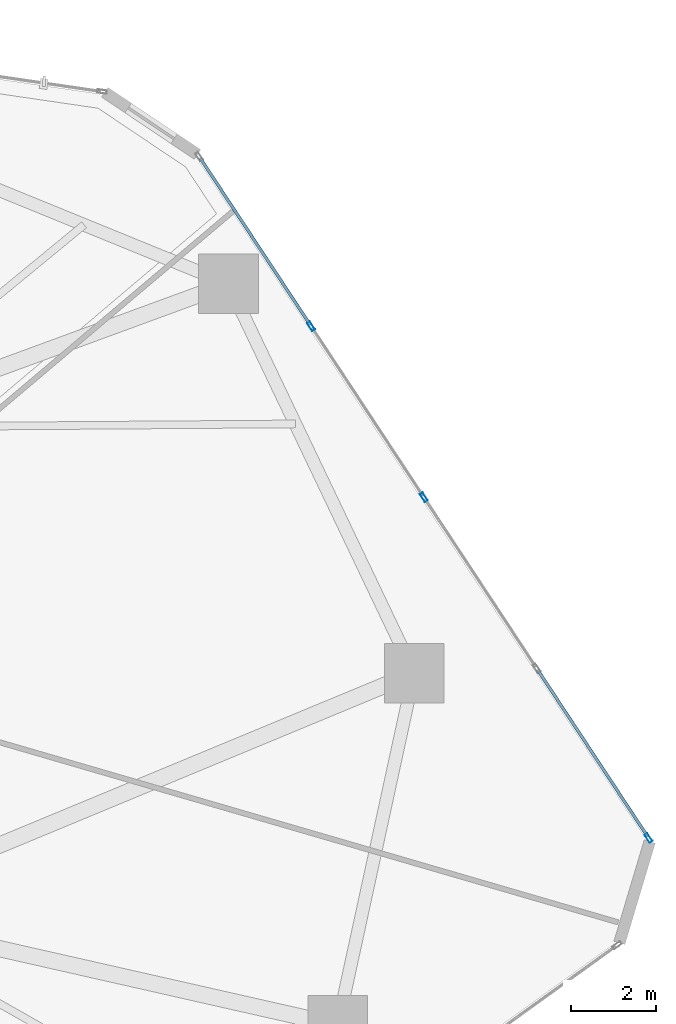
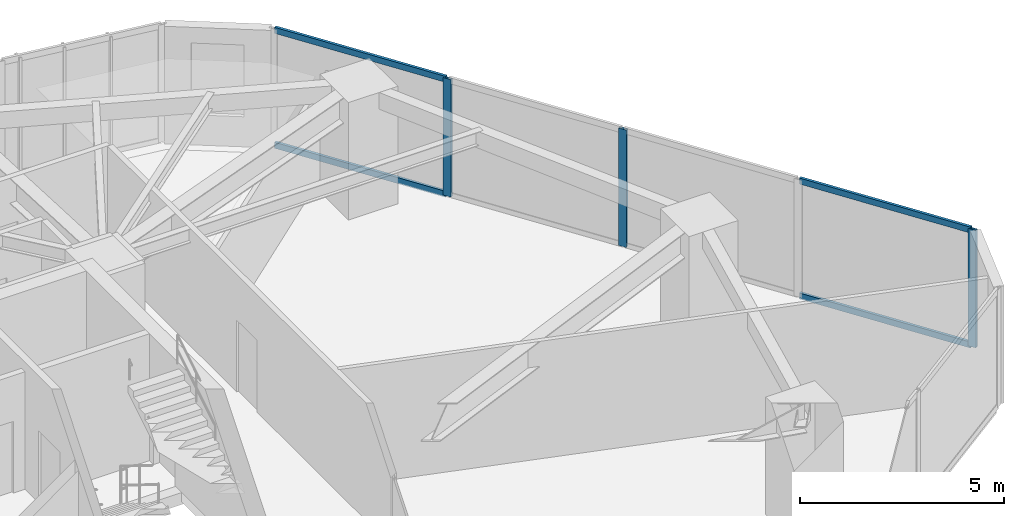
# One storey, part 13 of 22: 7 members, 1 element without a shape of its own.
"""IFC4 building model written with IfcOpenShell, lengths in metres."""

import ifcopenshell
import ifcopenshell.guid

model = None  # the IFC model being written
_history = None  # IfcOwnerHistory: only IFC2X3 demands one
_inside = {}  # id of a spatial element -> (the spatial element, [elements in it])
_under = {}  # id of a project, library or spatial element -> (it, [spatial elements below it])
_declared = {}  # id of a project -> (the project, [libraries it declares])
_typed = {}  # id of a type object -> (the type object, [elements of that type])
_made_of = {}  # id of a material, layer set ... -> (it, [elements and type objects made of it])


def new_model(schema):
    """Start an empty IFC model of exactly this schema.

    Asked for "IFC4X3", IfcOpenShell would pick the latest addendum, in which some entities
    have other attributes; the version numbers below select the first issue.
    IFC2X3 requires an IfcOwnerHistory on every rooted entity: one is made here for all.
    """
    global model, _history
    if schema == "IFC4X3":
        model = ifcopenshell.file(schema_version=(4, 3, 0, 0))
    else:
        model = ifcopenshell.file(schema=schema)
    _inside.clear()
    _under.clear()
    _declared.clear()
    _typed.clear()
    _made_of.clear()
    _history = None
    if model.schema == "IFC2X3":
        org = make("IfcOrganization", Name="unknown")
        user = make(
            "IfcPersonAndOrganization",
            ThePerson=make("IfcPerson", FamilyName="unknown"),
            TheOrganization=org,
        )
        app = make(
            "IfcApplication",
            ApplicationDeveloper=org,
            Version="unknown",
            ApplicationFullName="unknown",
            ApplicationIdentifier="unknown",
        )
        _history = make(
            "IfcOwnerHistory",
            OwningUser=user,
            OwningApplication=app,
            ChangeAction="ADDED",
            CreationDate=0,
        )
    return model


def make(cls, **values):
    """One entity of the class cls with the attributes given. An attribute that is None is left unset."""
    return model.create_entity(
        cls, **{name: value for name, value in values.items() if value is not None}
    )


def rooted(cls, **values):
    """An entity with a GlobalId (a new one), such as an element, a storey or a relation."""
    return make(cls, GlobalId=ifcopenshell.guid.new(), OwnerHistory=_history, **values)


def si_unit(unit_type, name, prefix=None):
    """IfcSIUnit, for example si_unit("LENGTHUNIT", "METRE", prefix="MILLI")."""
    return make("IfcSIUnit", UnitType=unit_type, Prefix=prefix, Name=name)


def assignment(units):
    """IfcUnitAssignment: the units of a project."""
    return None if units is None else make("IfcUnitAssignment", Units=units)


def point(xyz):
    """IfcCartesianPoint."""
    return None if xyz is None else make("IfcCartesianPoint", Coordinates=xyz)


def direction(xyz):
    """IfcDirection."""
    return None if xyz is None else make("IfcDirection", DirectionRatios=xyz)


def frame(location, z_axis=None, x_axis=None):
    """IfcAxis2Placement3D, a coordinate frame: its origin and axes. An axis left out is left unset."""
    return make(
        "IfcAxis2Placement3D",
        Location=point(location),
        Axis=direction(z_axis),
        RefDirection=direction(x_axis),
    )


def frame_2d(location, x_axis=None):
    """IfcAxis2Placement2D, a coordinate frame in the plane: its origin and x axis."""
    return make(
        "IfcAxis2Placement2D", Location=point(location), RefDirection=direction(x_axis)
    )


def origin():
    """The frame at (0, 0, 0) with its axes left unset."""
    return frame((0.0, 0.0, 0.0))


def origin_2d():
    """The frame at (0, 0) in the plane with its x axis left unset."""
    return frame_2d((0.0, 0.0))


def place(relative_to, where):
    """IfcLocalPlacement: puts the frame where relative to a parent placement (None: the world)."""
    return make(
        "IfcLocalPlacement", PlacementRelTo=relative_to, RelativePlacement=where
    )


def context(
    kind, dimensions, precision=None, world=None, true_north=None, identifier=None
):
    """IfcGeometricRepresentationContext, for example the 3D "Model" context."""
    return make(
        "IfcGeometricRepresentationContext",
        ContextIdentifier=identifier,
        ContextType=kind,
        CoordinateSpaceDimension=dimensions,
        Precision=precision,
        WorldCoordinateSystem=world,
        TrueNorth=true_north,
    )


def subcontext(parent, identifier, kind, view, scale=None):
    """IfcGeometricRepresentationSubContext, for example "Body" below "Model"."""
    return make(
        "IfcGeometricRepresentationSubContext",
        ContextIdentifier=identifier,
        ContextType=kind,
        ParentContext=parent,
        TargetScale=scale,
        TargetView=view,
    )


def project(units=None, contexts=None):
    """IfcProject with its units and contexts."""
    return rooted(
        "IfcProject",
        Name="project",
        RepresentationContexts=contexts,
        UnitsInContext=assignment(units),
    )


def spatial(cls, under=None, at=None, **own):
    """A site, building, storey or space (cls), placed at a placement, below another one or the project."""
    s = rooted(cls, ObjectPlacement=at, **own)
    if under is not None:
        _under.setdefault(under.id(), (under, []))[1].append(s)
    return s


def profile(cls, at=None, kind="AREA", **sizes):
    """A parametric profile (cls). Its sizes go by their IFC names, for example OverallWidth=200.0."""
    return make(cls, ProfileType=kind, Position=at, **sizes)


def hollow_rectangle(**sizes):
    """IfcRectangleHollowProfileDef."""
    return profile("IfcRectangleHollowProfileDef", **sizes)


def extrude(swept, where, along, depth):
    """IfcExtrudedAreaSolid: the profile swept, set in the frame where, extruded along a direction by depth."""
    return make(
        "IfcExtrudedAreaSolid",
        SweptArea=swept,
        Position=where,
        ExtrudedDirection=direction(along),
        Depth=depth,
    )


def shape(context_of_items, identifier, shape_type, items):
    """IfcShapeRepresentation: the items that make up one representation, for example the "Body"."""
    return make(
        "IfcShapeRepresentation",
        ContextOfItems=context_of_items,
        RepresentationIdentifier=identifier,
        RepresentationType=shape_type,
        Items=items,
    )


def source(mapping_origin, context_of_items, identifier, shape_type, items):
    """IfcRepresentationMap: a shape defined once, which mapped items show again and again."""
    return make(
        "IfcRepresentationMap",
        MappingOrigin=mapping_origin,
        MappedRepresentation=shape(context_of_items, identifier, shape_type, items),
    )


def transform(
    local_origin,
    x_axis=None,
    y_axis=None,
    z_axis=None,
    scale=None,
    scale2=None,
    scale3=None,
    uniform=True,
):
    """IfcCartesianTransformationOperator3D, or its non-uniform kind. x_axis, y_axis, z_axis: its Axis1, 2, 3."""
    if uniform:
        return make(
            "IfcCartesianTransformationOperator3D",
            Axis1=direction(x_axis),
            Axis2=direction(y_axis),
            LocalOrigin=point(local_origin),
            Scale=scale,
            Axis3=direction(z_axis),
        )
    return make(
        "IfcCartesianTransformationOperator3DnonUniform",
        Axis1=direction(x_axis),
        Axis2=direction(y_axis),
        LocalOrigin=point(local_origin),
        Scale=scale,
        Axis3=direction(z_axis),
        Scale2=scale2,
        Scale3=scale3,
    )


def mapped(mapping_source, mapping_target):
    """IfcMappedItem: shows the shape of a source again, moved by a transform."""
    return make(
        "IfcMappedItem", MappingSource=mapping_source, MappingTarget=mapping_target
    )


def material(Name=None, Category=None):
    """IfcMaterial."""
    return make("IfcMaterial", Name=Name, Category=Category)


def layer(
    of_material, thickness, ventilated=None, Name=None, Category=None, Priority=None
):
    """IfcMaterialLayer: one layer of a wall or slab, of a material (None: an air gap)."""
    return make(
        "IfcMaterialLayer",
        Material=of_material,
        LayerThickness=thickness,
        IsVentilated=ventilated,
        Name=Name,
        Category=Category,
        Priority=Priority,
    )


def layer_set(layers, Name=None):
    """IfcMaterialLayerSet."""
    return make("IfcMaterialLayerSet", MaterialLayers=layers, LayerSetName=Name)


def material_profile(
    of_material, cross_section, Name=None, Category=None, Priority=None
):
    """IfcMaterialProfile: a cross section and its material."""
    return make(
        "IfcMaterialProfile",
        Name=Name,
        Material=of_material,
        Profile=cross_section,
        Priority=Priority,
        Category=Category,
    )


def profile_set(profiles, Name=None, composite=None):
    """IfcMaterialProfileSet."""
    return make(
        "IfcMaterialProfileSet",
        Name=Name,
        MaterialProfiles=profiles,
        CompositeProfile=composite,
    )


def made_of(thing, what):
    """Note that an element or type object is made of a material, layer set ...; save() writes the relation."""
    if what is not None:
        _made_of.setdefault(what.id(), (what, []))[1].append(thing)
    return thing


def type_object(cls, material=None, **own):
    """A type object (cls), such as IfcWallType, which elements share."""
    return made_of(rooted(cls, **own), material)


def type_shapes(of_type, sources):
    """Give a type object the sources (RepresentationMaps) that its elements show as mapped items."""
    of_type.RepresentationMaps = sources


def element(
    cls,
    number,
    at=None,
    inside=None,
    cuts=None,
    type_object=None,
    material=None,
    context=None,
    identifier="Body",
    shape_type=None,
    held_by="IfcProductDefinitionShape",
    body=None,
    shapes=None,
    **own,
):
    """One element of the class cls, such as IfcWall. Its Tag is "e" and its number.

    at: its placement. inside: the storey or other place that contains it. cuts: it is an
    opening in that element (IfcRelVoidsElement). A single representation is given by context,
    identifier, shape_type and body (its items); several are given by shapes. held_by: the class
    of the entity that holds the representations. save() writes the other relations.
    """
    e = rooted(cls, Tag="e%d" % number, ObjectPlacement=at, **own)
    if body is not None:
        shapes = [shape(context, identifier, shape_type, body)]
    if shapes is not None:
        e.Representation = make(held_by, Representations=shapes)
    if inside is not None:
        _inside.setdefault(inside.id(), (inside, []))[1].append(e)
    if cuts is not None:
        rooted(
            "IfcRelVoidsElement", RelatingBuildingElement=cuts, RelatedOpeningElement=e
        )
    if type_object is not None:
        _typed.setdefault(type_object.id(), (type_object, []))[1].append(e)
    return made_of(e, material)


def aggregate(whole, parts):
    """IfcRelAggregates: a whole, such as a stair, and the parts it consists of."""
    return rooted("IfcRelAggregates", RelatingObject=whole, RelatedObjects=parts)


def save(model, path):
    """Write the relations noted so far, then the file.

    IfcRelAggregates (storeys below a building ...), IfcRelContainedInSpatialStructure (elements
    in a storey), IfcRelDefinesByType, IfcRelAssociatesMaterial and IfcRelDeclares: one each for
    every whole, place, type object, material and project.
    """
    for whole, parts in _under.values():
        aggregate(whole, parts)
    for where, things in _inside.values():
        rooted(
            "IfcRelContainedInSpatialStructure",
            RelatedElements=things,
            RelatingStructure=where,
        )
    for kind, things in _typed.values():
        rooted("IfcRelDefinesByType", RelatedObjects=things, RelatingType=kind)
    for what, things in _made_of.values():
        rooted("IfcRelAssociatesMaterial", RelatedObjects=things, RelatingMaterial=what)
    for by, libraries in _declared.values():
        rooted("IfcRelDeclares", RelatingContext=by, RelatedDefinitions=libraries)
    model.write(path)


model = new_model("IFC4")

# Units and contexts
model_context = context("Model", 3, precision=1e-05, world=origin(), true_north=direction((0.0, 1.0)))
body_context = subcontext(model_context, "Body", "Model", "MODEL_VIEW")
ifc_project = project(units=[si_unit("LENGTHUNIT", "METRE"), si_unit("AREAUNIT", "SQUARE_METRE"), si_unit("VOLUMEUNIT", "CUBIC_METRE"), si_unit("PLANEANGLEUNIT", "RADIAN"), si_unit("MASSUNIT", "GRAM", prefix="KILO")], contexts=[model_context])

# Site, building, storey
site_placement = place(None, origin())
site = spatial("IfcSite", under=ifc_project, at=site_placement, CompositionType="ELEMENT")
building_placement = place(site_placement, origin())
building = spatial("IfcBuilding", under=site, at=building_placement, Name="Talar Marvaseh", CompositionType="ELEMENT")
storey_placement = place(building_placement, frame((0.0, 0.0, 65.800048828125)))
storey = spatial("IfcBuildingStorey", under=building, at=storey_placement, Name="L16", CompositionType="ELEMENT", Elevation=65.800048828125)

# Curtain wall, members
ifc_material = material(Name="Architectural Aluminium", Category="aluminium")
ifc_layer = layer(ifc_material, 0.219970703125)
ifc_layer_set = layer_set([ifc_layer], Name="Architectural Aluminium")
curtain_wall_type = type_object("IfcCurtainWallType", Name="Unitised Low-E Museum Curtain Wall Z1", PredefinedType="NOTDEFINED", material=ifc_layer_set)
curtain_wall_placement = place(storey_placement, origin())
curtain_wall = element("IfcCurtainWall", 1, at=curtain_wall_placement, inside=storey, type_object=curtain_wall_type, Name="L16 Unitised Low-E Museum Curtain Wall Z1", PredefinedType="NOTDEFINED")
ifc_material_profile_1 = material_profile(ifc_material, hollow_rectangle(XDim=0.080078125, YDim=0.219970703125, WallThickness=0.0048828125, at=origin_2d()), Name="RHS220x80x5")
ifc_profile_set_1 = profile_set([ifc_material_profile_1], Name="Architectural Aluminium")
member_type_1 = type_object("IfcMemberType", Name="Unitised Curtain Wall Heavy Mullion RHS220x80x5", PredefinedType="MULLION", material=ifc_profile_set_1)
shared_shape_1 = source(origin(), body_context, "Body", "SweptSolid", [
    extrude(hollow_rectangle(XDim=0.080078125, YDim=0.219970703125, WallThickness=0.0048828125, at=origin_2d()), origin(), (0.0, 0.0, 1.0), 3.52001953125),
])
type_shapes(member_type_1, [shared_shape_1])
member_1_placement = place(storey_placement, frame((44.41650390625, 39.270751953125, 0.0), z_axis=(0.0, 0.0, 1.0), x_axis=(0.834809984106, 0.550538182542, 0.0)))
member_1 = element("IfcMember", 2, at=member_1_placement, type_object=member_type_1, Name="CW-Z1 mullion 2", PredefinedType="MULLION", context=body_context, shape_type="MappedRepresentation", body=[
    mapped(shared_shape_1, transform((0.0, 0.0, 0.0), x_axis=(1.0, 0.0, 0.0), y_axis=(0.0, 1.0, 0.0), z_axis=(0.0, 0.0, 1.0), scale=1.0)),
])
member_2_placement = place(storey_placement, frame((47.068359375, 35.25, 0.0), z_axis=(0.0, 0.0, 1.0), x_axis=(0.834809984106, 0.550538182542, 0.0)))
member_2 = element("IfcMember", 3, at=member_2_placement, type_object=member_type_1, Name="CW-Z1 mullion 3", PredefinedType="MULLION", context=body_context, shape_type="MappedRepresentation", body=[
    mapped(shared_shape_1, transform((0.0, 0.0, 0.0), x_axis=(1.0, 0.0, 0.0), y_axis=(0.0, 1.0, 0.0), z_axis=(0.0, 0.0, 1.0), scale=1.0)),
])
member_3_placement = place(storey_placement, frame((52.349609375, 27.241455078125, 0.0), z_axis=(0.0, 0.0, 1.0), x_axis=(0.834809984106, 0.550538182542, 0.0)))
member_3 = element("IfcMember", 4, at=member_3_placement, type_object=member_type_1, Name="CW-Z1 mullion 5", PredefinedType="MULLION", context=body_context, shape_type="MappedRepresentation", body=[
    mapped(shared_shape_1, transform((0.0, 0.0, 0.0), x_axis=(1.0, 0.0, 0.0), y_axis=(0.0, 1.0, 0.0), z_axis=(0.0, 0.0, 1.0), scale=1.0)),
])
ifc_material_profile_2 = material_profile(ifc_material, hollow_rectangle(XDim=0.074951171875, YDim=0.179931640625, WallThickness=0.0048828125, at=origin_2d()), Name="RHS180x75x5")
ifc_profile_set_2 = profile_set([ifc_material_profile_2], Name="Architectural Aluminium")
member_type_2 = type_object("IfcMemberType", Name="Unitised Curtain Wall Transom RHS180x75x5", PredefinedType="USERDEFINED", material=ifc_profile_set_2)
shared_shape_2 = source(origin(), body_context, "Body", "SweptSolid", [
    extrude(hollow_rectangle(XDim=0.074951171875, YDim=0.179931640625, WallThickness=0.0048828125, at=origin_2d()), origin(), (0.0, 0.0, 1.0), 4.69677734375),
])
member_4_placement = place(storey_placement, frame((41.808837890625, 43.22509765625, 0.037353515625), z_axis=(0.550530776424, -0.834814868225, 0.0), x_axis=(0.834814868225, 0.550530776424, 0.0)))
member_4 = element("IfcMember", 5, at=member_4_placement, type_object=member_type_2, Name="CW-Z1 transom 1.1", ObjectType="TRANSOM", PredefinedType="USERDEFINED", context=body_context, shape_type="MappedRepresentation", body=[
    mapped(shared_shape_2, transform((0.0, 0.0, 0.0), x_axis=(1.0, 0.0, 0.0), y_axis=(0.0, 1.0, 0.0), z_axis=(0.0, 0.0, 1.0), scale=1.0)),
])
member_5_placement = place(storey_placement, frame((41.808837890625, 43.22509765625, 3.482421875), z_axis=(0.550530776424, -0.834814868225, 0.0), x_axis=(0.834814868225, 0.550530776424, 0.0)))
member_5 = element("IfcMember", 6, at=member_5_placement, type_object=member_type_2, Name="CW-Z1 transom 1.2", ObjectType="TRANSOM", PredefinedType="USERDEFINED", context=body_context, shape_type="MappedRepresentation", body=[
    mapped(shared_shape_2, transform((0.0, 0.0, 0.0), x_axis=(1.0, 0.0, 0.0), y_axis=(0.0, 1.0, 0.0), z_axis=(0.0, 0.0, 1.0), scale=1.0)),
])
shared_shape_3 = source(origin(), body_context, "Body", "SweptSolid", [
    extrude(hollow_rectangle(XDim=0.074951171875, YDim=0.179931640625, WallThickness=0.0048828125, at=origin_2d()), origin(), (0.0, 0.0, 1.0), 4.696533203125),
])
type_shapes(member_type_2, [shared_shape_2, shared_shape_3])
member_6_placement = place(storey_placement, frame((49.741943359375, 31.195556640625, 0.037353515625), z_axis=(0.55055466725, -0.834799112583, 0.0), x_axis=(0.834799112583, 0.55055466725, 0.0)))
member_6 = element("IfcMember", 7, at=member_6_placement, type_object=member_type_2, Name="CW-Z1 transom 4.1", ObjectType="TRANSOM", PredefinedType="USERDEFINED", context=body_context, shape_type="MappedRepresentation", body=[
    mapped(shared_shape_3, transform((0.0, 0.0, 0.0), x_axis=(1.0, 0.0, 0.0), y_axis=(0.0, 1.0, 0.0), z_axis=(0.0, 0.0, 1.0), scale=1.0)),
])
member_7_placement = place(storey_placement, frame((49.741943359375, 31.195556640625, 3.482421875), z_axis=(0.55055466725, -0.834799112583, 0.0), x_axis=(0.834799112583, 0.55055466725, 0.0)))
member_7 = element("IfcMember", 8, at=member_7_placement, type_object=member_type_2, Name="CW-Z1 transom 4.2", ObjectType="TRANSOM", PredefinedType="USERDEFINED", context=body_context, shape_type="MappedRepresentation", body=[
    mapped(shared_shape_3, transform((0.0, 0.0, 0.0), x_axis=(1.0, 0.0, 0.0), y_axis=(0.0, 1.0, 0.0), z_axis=(0.0, 0.0, 1.0), scale=1.0)),
])
aggregate(curtain_wall, [member_1, member_2, member_3, member_4, member_5, member_6, member_7])

save(model, "model.ifc")
